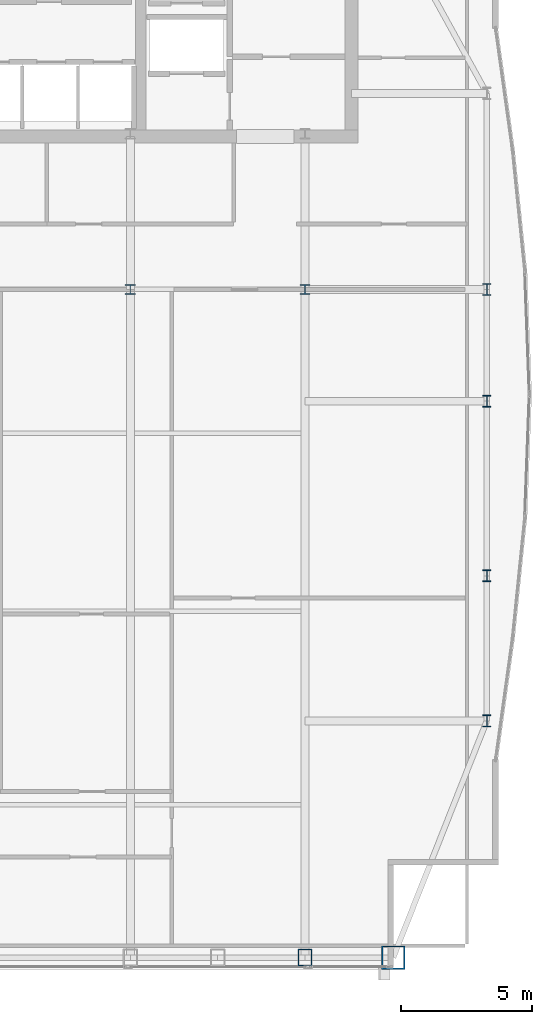
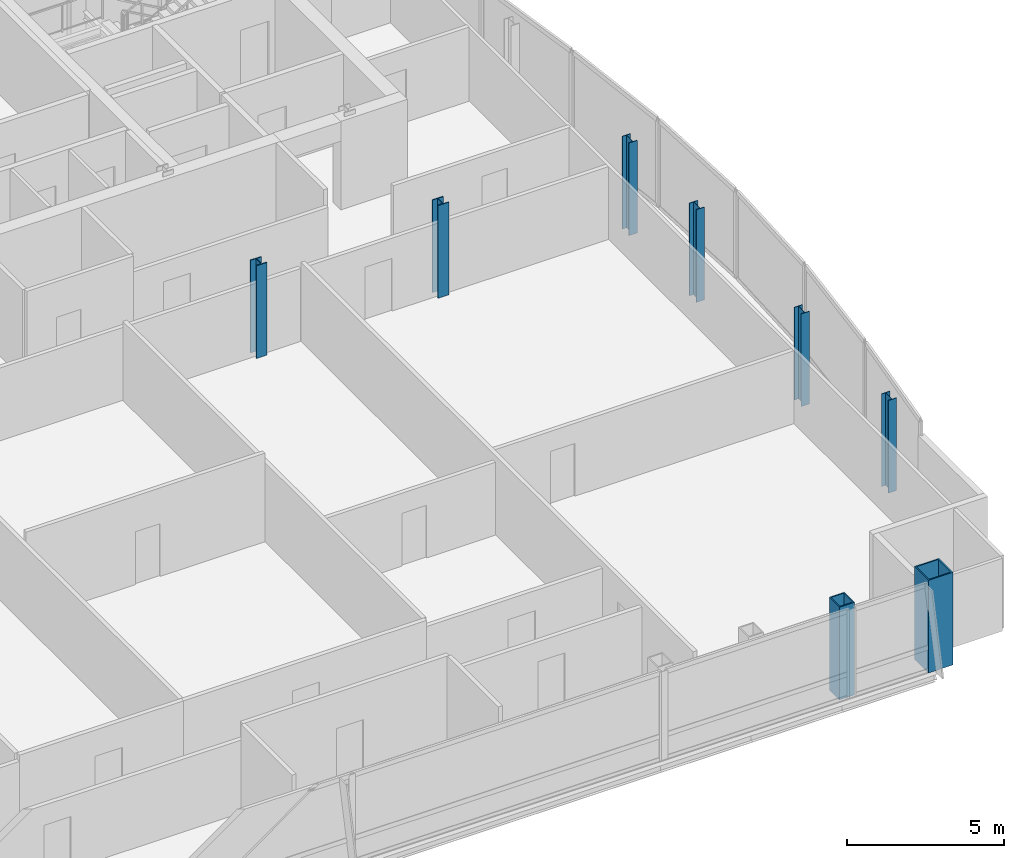
# One storey, part 2 of 26: 8 columns.
"""IFC4 building model written with IfcOpenShell, lengths in metres."""

import ifcopenshell
import ifcopenshell.guid

model = None  # the IFC model being written
_history = None  # IfcOwnerHistory: only IFC2X3 demands one
_inside = {}  # id of a spatial element -> (the spatial element, [elements in it])
_under = {}  # id of a project, library or spatial element -> (it, [spatial elements below it])
_declared = {}  # id of a project -> (the project, [libraries it declares])
_typed = {}  # id of a type object -> (the type object, [elements of that type])
_made_of = {}  # id of a material, layer set ... -> (it, [elements and type objects made of it])


def new_model(schema):
    """Start an empty IFC model of exactly this schema.

    Asked for "IFC4X3", IfcOpenShell would pick the latest addendum, in which some entities
    have other attributes; the version numbers below select the first issue.
    IFC2X3 requires an IfcOwnerHistory on every rooted entity: one is made here for all.
    """
    global model, _history
    if schema == "IFC4X3":
        model = ifcopenshell.file(schema_version=(4, 3, 0, 0))
    else:
        model = ifcopenshell.file(schema=schema)
    _inside.clear()
    _under.clear()
    _declared.clear()
    _typed.clear()
    _made_of.clear()
    _history = None
    if model.schema == "IFC2X3":
        org = make("IfcOrganization", Name="unknown")
        user = make(
            "IfcPersonAndOrganization",
            ThePerson=make("IfcPerson", FamilyName="unknown"),
            TheOrganization=org,
        )
        app = make(
            "IfcApplication",
            ApplicationDeveloper=org,
            Version="unknown",
            ApplicationFullName="unknown",
            ApplicationIdentifier="unknown",
        )
        _history = make(
            "IfcOwnerHistory",
            OwningUser=user,
            OwningApplication=app,
            ChangeAction="ADDED",
            CreationDate=0,
        )
    return model


def make(cls, **values):
    """One entity of the class cls with the attributes given. An attribute that is None is left unset."""
    return model.create_entity(
        cls, **{name: value for name, value in values.items() if value is not None}
    )


def rooted(cls, **values):
    """An entity with a GlobalId (a new one), such as an element, a storey or a relation."""
    return make(cls, GlobalId=ifcopenshell.guid.new(), OwnerHistory=_history, **values)


def si_unit(unit_type, name, prefix=None):
    """IfcSIUnit, for example si_unit("LENGTHUNIT", "METRE", prefix="MILLI")."""
    return make("IfcSIUnit", UnitType=unit_type, Prefix=prefix, Name=name)


def assignment(units):
    """IfcUnitAssignment: the units of a project."""
    return None if units is None else make("IfcUnitAssignment", Units=units)


def point(xyz):
    """IfcCartesianPoint."""
    return None if xyz is None else make("IfcCartesianPoint", Coordinates=xyz)


def direction(xyz):
    """IfcDirection."""
    return None if xyz is None else make("IfcDirection", DirectionRatios=xyz)


def frame(location, z_axis=None, x_axis=None):
    """IfcAxis2Placement3D, a coordinate frame: its origin and axes. An axis left out is left unset."""
    return make(
        "IfcAxis2Placement3D",
        Location=point(location),
        Axis=direction(z_axis),
        RefDirection=direction(x_axis),
    )


def frame_2d(location, x_axis=None):
    """IfcAxis2Placement2D, a coordinate frame in the plane: its origin and x axis."""
    return make(
        "IfcAxis2Placement2D", Location=point(location), RefDirection=direction(x_axis)
    )


def origin():
    """The frame at (0, 0, 0) with its axes left unset."""
    return frame((0.0, 0.0, 0.0))


def origin_2d():
    """The frame at (0, 0) in the plane with its x axis left unset."""
    return frame_2d((0.0, 0.0))


def place(relative_to, where):
    """IfcLocalPlacement: puts the frame where relative to a parent placement (None: the world)."""
    return make(
        "IfcLocalPlacement", PlacementRelTo=relative_to, RelativePlacement=where
    )


def context(
    kind, dimensions, precision=None, world=None, true_north=None, identifier=None
):
    """IfcGeometricRepresentationContext, for example the 3D "Model" context."""
    return make(
        "IfcGeometricRepresentationContext",
        ContextIdentifier=identifier,
        ContextType=kind,
        CoordinateSpaceDimension=dimensions,
        Precision=precision,
        WorldCoordinateSystem=world,
        TrueNorth=true_north,
    )


def subcontext(parent, identifier, kind, view, scale=None):
    """IfcGeometricRepresentationSubContext, for example "Body" below "Model"."""
    return make(
        "IfcGeometricRepresentationSubContext",
        ContextIdentifier=identifier,
        ContextType=kind,
        ParentContext=parent,
        TargetScale=scale,
        TargetView=view,
    )


def project(units=None, contexts=None):
    """IfcProject with its units and contexts."""
    return rooted(
        "IfcProject",
        Name="project",
        RepresentationContexts=contexts,
        UnitsInContext=assignment(units),
    )


def spatial(cls, under=None, at=None, **own):
    """A site, building, storey or space (cls), placed at a placement, below another one or the project."""
    s = rooted(cls, ObjectPlacement=at, **own)
    if under is not None:
        _under.setdefault(under.id(), (under, []))[1].append(s)
    return s


def profile(cls, at=None, kind="AREA", **sizes):
    """A parametric profile (cls). Its sizes go by their IFC names, for example OverallWidth=200.0."""
    return make(cls, ProfileType=kind, Position=at, **sizes)


def hollow_rectangle(**sizes):
    """IfcRectangleHollowProfileDef."""
    return profile("IfcRectangleHollowProfileDef", **sizes)


def i_section(**sizes):
    """IfcIShapeProfileDef."""
    return profile("IfcIShapeProfileDef", **sizes)


def extrude(swept, where, along, depth):
    """IfcExtrudedAreaSolid: the profile swept, set in the frame where, extruded along a direction by depth."""
    return make(
        "IfcExtrudedAreaSolid",
        SweptArea=swept,
        Position=where,
        ExtrudedDirection=direction(along),
        Depth=depth,
    )


def shape(context_of_items, identifier, shape_type, items):
    """IfcShapeRepresentation: the items that make up one representation, for example the "Body"."""
    return make(
        "IfcShapeRepresentation",
        ContextOfItems=context_of_items,
        RepresentationIdentifier=identifier,
        RepresentationType=shape_type,
        Items=items,
    )


def material(Name=None, Category=None):
    """IfcMaterial."""
    return make("IfcMaterial", Name=Name, Category=Category)


def material_profile(
    of_material, cross_section, Name=None, Category=None, Priority=None
):
    """IfcMaterialProfile: a cross section and its material."""
    return make(
        "IfcMaterialProfile",
        Name=Name,
        Material=of_material,
        Profile=cross_section,
        Priority=Priority,
        Category=Category,
    )


def profile_set(profiles, Name=None, composite=None):
    """IfcMaterialProfileSet."""
    return make(
        "IfcMaterialProfileSet",
        Name=Name,
        MaterialProfiles=profiles,
        CompositeProfile=composite,
    )


def made_of(thing, what):
    """Note that an element or type object is made of a material, layer set ...; save() writes the relation."""
    if what is not None:
        _made_of.setdefault(what.id(), (what, []))[1].append(thing)
    return thing


def type_object(cls, material=None, **own):
    """A type object (cls), such as IfcWallType, which elements share."""
    return made_of(rooted(cls, **own), material)


def element(
    cls,
    number,
    at=None,
    inside=None,
    cuts=None,
    type_object=None,
    material=None,
    context=None,
    identifier="Body",
    shape_type=None,
    held_by="IfcProductDefinitionShape",
    body=None,
    shapes=None,
    **own,
):
    """One element of the class cls, such as IfcWall. Its Tag is "e" and its number.

    at: its placement. inside: the storey or other place that contains it. cuts: it is an
    opening in that element (IfcRelVoidsElement). A single representation is given by context,
    identifier, shape_type and body (its items); several are given by shapes. held_by: the class
    of the entity that holds the representations. save() writes the other relations.
    """
    e = rooted(cls, Tag="e%d" % number, ObjectPlacement=at, **own)
    if body is not None:
        shapes = [shape(context, identifier, shape_type, body)]
    if shapes is not None:
        e.Representation = make(held_by, Representations=shapes)
    if inside is not None:
        _inside.setdefault(inside.id(), (inside, []))[1].append(e)
    if cuts is not None:
        rooted(
            "IfcRelVoidsElement", RelatingBuildingElement=cuts, RelatedOpeningElement=e
        )
    if type_object is not None:
        _typed.setdefault(type_object.id(), (type_object, []))[1].append(e)
    return made_of(e, material)


def aggregate(whole, parts):
    """IfcRelAggregates: a whole, such as a stair, and the parts it consists of."""
    return rooted("IfcRelAggregates", RelatingObject=whole, RelatedObjects=parts)


def save(model, path):
    """Write the relations noted so far, then the file.

    IfcRelAggregates (storeys below a building ...), IfcRelContainedInSpatialStructure (elements
    in a storey), IfcRelDefinesByType, IfcRelAssociatesMaterial and IfcRelDeclares: one each for
    every whole, place, type object, material and project.
    """
    for whole, parts in _under.values():
        aggregate(whole, parts)
    for where, things in _inside.values():
        rooted(
            "IfcRelContainedInSpatialStructure",
            RelatedElements=things,
            RelatingStructure=where,
        )
    for kind, things in _typed.values():
        rooted("IfcRelDefinesByType", RelatedObjects=things, RelatingType=kind)
    for what, things in _made_of.values():
        rooted("IfcRelAssociatesMaterial", RelatedObjects=things, RelatingMaterial=what)
    for by, libraries in _declared.values():
        rooted("IfcRelDeclares", RelatingContext=by, RelatedDefinitions=libraries)
    model.write(path)


model = new_model("IFC4")

# Units and contexts
model_context = context("Model", 3, precision=1e-05, world=origin(), true_north=direction((0.0, 1.0)))
body_context = subcontext(model_context, "Body", "Model", "MODEL_VIEW")
ifc_project = project(units=[si_unit("LENGTHUNIT", "METRE"), si_unit("AREAUNIT", "SQUARE_METRE"), si_unit("VOLUMEUNIT", "CUBIC_METRE"), si_unit("PLANEANGLEUNIT", "RADIAN"), si_unit("MASSUNIT", "GRAM", prefix="KILO")], contexts=[model_context])

# Site, building, storey
site_placement = place(None, origin())
site = spatial("IfcSite", under=ifc_project, at=site_placement, CompositionType="ELEMENT")
building_placement = place(site_placement, origin())
building = spatial("IfcBuilding", under=site, at=building_placement, Name="Khoronbel Lancet Exchange", CompositionType="ELEMENT")
storey_placement = place(building_placement, frame((0.0, 0.0, 339.800048828125)))
storey = spatial("IfcBuildingStorey", under=building, at=storey_placement, Name="L88", CompositionType="ELEMENT", Elevation=339.800048828125)

# Columns
ifc_material_1 = material(Name="Steel S460", Category="steel")
ifc_material_profile_1 = material_profile(ifc_material_1, hollow_rectangle(XDim=0.550048828125, YDim=0.64990234375, WallThickness=0.0400390625, at=origin_2d()), Name="BOX 650x550x40")
ifc_profile_set_1 = profile_set([ifc_material_profile_1], Name="Steel S460")
column_type_1 = type_object("IfcColumnType", Name="COL-EC4", PredefinedType="COLUMN", material=ifc_profile_set_1)
column_1_placement = place(storey_placement, frame((54.675048828125, 10.14990234375, 0.0), z_axis=(0.0, 0.0, 1.0), x_axis=(1.0, 0.0, 0.0)))
element("IfcColumn", 1, at=column_1_placement, inside=storey, type_object=column_type_1, Name="Structural column SC-E2 L88", PredefinedType="COLUMN", context=body_context, shape_type="SweptSolid", body=[
    extrude(hollow_rectangle(XDim=0.550048828125, YDim=0.64990234375, WallThickness=0.0400390625, at=origin_2d()), origin(), (0.0, 0.0, 1.0), 3.599853515625),
])
ifc_material_2 = material(Name="Steel S355", Category="steel")
ifc_material_profile_2 = material_profile(ifc_material_2, i_section(OverallWidth=0.39892578125, OverallDepth=0.39306640625, WebThickness=0.022705078125, FlangeThickness=0.03662109375, at=origin_2d()), Name="HD 400x287")
ifc_profile_set_2 = profile_set([ifc_material_profile_2], Name="Steel S355")
column_type_2 = type_object("IfcColumnType", Name="COL-IC4", PredefinedType="COLUMN", material=ifc_profile_set_2)
for number, where, z_axis, x_axis, name in (
    (2, (48.0, 35.699951171875, 0.0), (0.0, 0.0, 1.0), (1.0, 0.0, 0.0), "Spine gravity column TC3 L88"),
    (3, (54.675048828125, 35.699951171875, 0.0), (0.0, 0.0, 1.0), (1.0, 0.0, 0.0), "Spine gravity column TC4 L88"),
):
    element("IfcColumn", number, at=place(storey_placement, frame(where, z_axis=z_axis, x_axis=x_axis)), inside=storey, type_object=column_type_2, Name=name, PredefinedType="COLUMN", context=body_context, shape_type="SweptSolid", body=[
        extrude(i_section(OverallWidth=0.39892578125, OverallDepth=0.39306640625, WebThickness=0.022705078125, FlangeThickness=0.03662109375, at=origin_2d()), origin(), (0.0, 0.0, 1.0), 3.599853515625),
    ])
ifc_material_profile_3 = material_profile(ifc_material_2, i_section(OverallWidth=0.300048828125, OverallDepth=0.449951171875, WebThickness=0.013916015625, FlangeThickness=0.02587890625, at=origin_2d()), Name="HEB 450")
ifc_profile_set_3 = profile_set([ifc_material_profile_3], Name="Steel S355")
column_type_3 = type_object("IfcColumnType", Name="COL-LC2", PredefinedType="COLUMN", material=ifc_profile_set_3)
for number, where, z_axis, x_axis, name in (
    (4, (61.6298828125, 19.199951171875, 0.0), (0.0, 0.0, 1.0), (1.0, 0.0, 0.0), "Structural column EC-1 L88"),
    (5, (61.6298828125, 24.75, 0.0), (0.0, 0.0, 1.0), (1.0, 0.0, 0.0), "Structural column EC-2 L88"),
    (6, (61.6298828125, 31.425048828125, 0.0), (0.0, 0.0, 1.0), (1.0, 0.0, 0.0), "Structural column EC-M L88"),
    (7, (61.6298828125, 35.699951171875, 0.0), (0.0, 0.0, 1.0), (1.0, 0.0, 0.0), "Structural column EC-3 L88"),
):
    element("IfcColumn", number, at=place(storey_placement, frame(where, z_axis=z_axis, x_axis=x_axis)), inside=storey, type_object=column_type_3, Name=name, PredefinedType="COLUMN", context=body_context, shape_type="SweptSolid", body=[
        extrude(i_section(OverallWidth=0.300048828125, OverallDepth=0.449951171875, WebThickness=0.013916015625, FlangeThickness=0.02587890625, at=origin_2d()), origin(), (0.0, 0.0, 1.0), 3.599853515625),
    ])
ifc_material_profile_4 = material_profile(ifc_material_1, hollow_rectangle(XDim=0.89990234375, YDim=0.89990234375, WallThickness=0.050048828125, at=origin_2d()), Name="BOX 900x900x50")
ifc_profile_set_4 = profile_set([ifc_material_profile_4], Name="Steel S460")
column_type_4 = type_object("IfcColumnType", Name="COL-MC7", PredefinedType="COLUMN", material=ifc_profile_set_4)
column_2_placement = place(storey_placement, frame((58.050048828125, 10.14990234375, 0.0), z_axis=(0.0, 0.0, 1.0), x_axis=(1.0, 0.0, 0.0)))
element("IfcColumn", 8, at=column_2_placement, inside=storey, type_object=column_type_4, Name="Structural column MC-SE L88", PredefinedType="COLUMN", context=body_context, shape_type="SweptSolid", body=[
    extrude(hollow_rectangle(XDim=0.89990234375, YDim=0.89990234375, WallThickness=0.050048828125, at=origin_2d()), origin(), (0.0, 0.0, 1.0), 3.599853515625),
])

save(model, "model.ifc")
